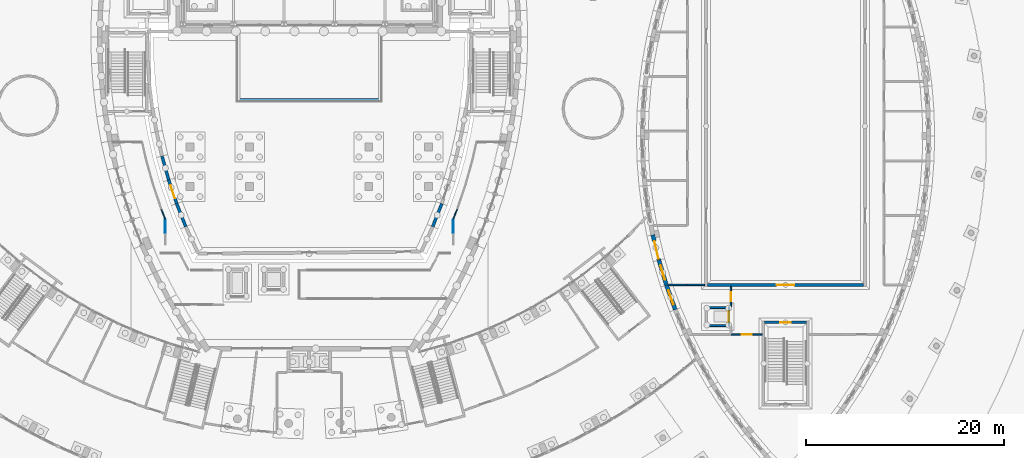
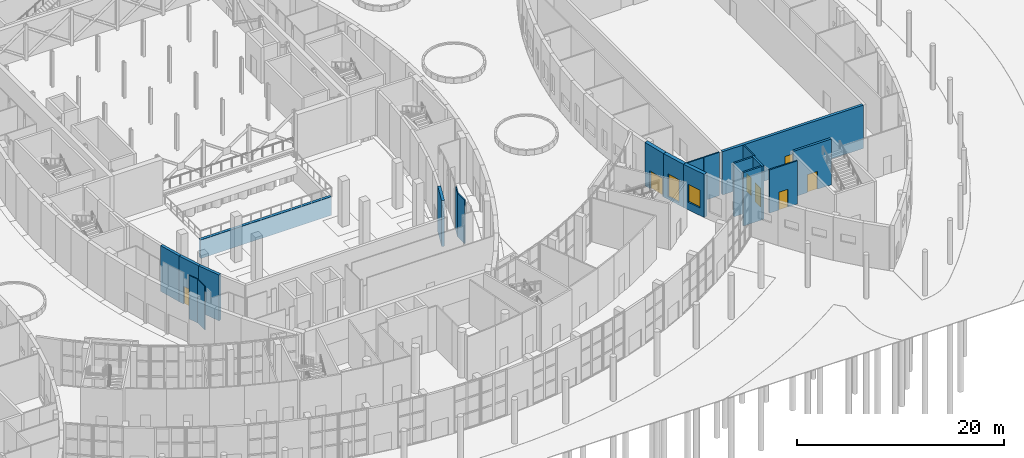
# One storey, part 50 of 82: 21 walls, 7 doors, 2 windows, 9 openings.
"""IFC4 building model written with IfcOpenShell, lengths in metres."""

from ifc_helpers import new_model, si_unit, direction, frame, frame_2d, origin, place, context, subcontext, project, spatial, rectangle, extrude, material, layer, layer_set, type_object, element, fill, save


model = new_model("IFC4")

# Units and contexts
model_context = context("Model", 3, precision=1e-05, world=origin(), true_north=direction((0.0, 1.0)))
body_context = subcontext(model_context, "Body", "Model", "MODEL_VIEW")
ifc_project = project(units=[si_unit("LENGTHUNIT", "METRE"), si_unit("AREAUNIT", "SQUARE_METRE"), si_unit("VOLUMEUNIT", "CUBIC_METRE"), si_unit("PLANEANGLEUNIT", "RADIAN"), si_unit("MASSUNIT", "GRAM", prefix="KILO")], contexts=[model_context])

# Site, building, storey
site_placement = place(None, origin())
site = spatial("IfcSite", under=ifc_project, at=site_placement, CompositionType="ELEMENT")
building_placement = place(site_placement, origin())
building = spatial("IfcBuilding", under=site, at=building_placement, Name="Tide Square Theatres", CompositionType="ELEMENT")
storey_placement = place(building_placement, origin())
storey = spatial("IfcBuildingStorey", under=building, at=storey_placement, Name="L00", CompositionType="ELEMENT", Elevation=0.0)

# Walls
ifc_material_1 = material(Name="Gypsum board on steel studs", Category="steel")
ifc_layer_1 = layer(ifc_material_1, 0.10009765625)
ifc_layer_set_1 = layer_set([ifc_layer_1], Name="Gypsum board on steel studs")
wall_type_1 = type_object("IfcWallType", Name="Partition 100 thick", PredefinedType="PARTITIONING", material=ifc_layer_set_1)
wall_1_placement = place(storey_placement, frame((69.10791015625, 37.578857421875, 0.0), z_axis=(0.0, 0.0, 1.0), x_axis=(0.366868197965, -0.930272930554, 0.0)))
element("IfcWall", 1, at=wall_1_placement, inside=storey, type_object=wall_type_1, Name="Partition", PredefinedType="PARTITIONING", context=body_context, shape_type="SweptSolid", body=[
    extrude(rectangle(XDim=1.06201171875, YDim=0.10009765625, at=frame_2d((0.531005859375, 0.0))), origin(), (0.0, 0.0, 1.0), 5.14990234375),
])
wall_2_placement = place(storey_placement, frame((69.5, 36.577880859375, 0.0), z_axis=(0.0, 0.0, 1.0), x_axis=(0.0, -1.0, 0.0)))
element("IfcWall", 2, at=wall_2_placement, inside=storey, type_object=wall_type_1, Name="Partition", PredefinedType="PARTITIONING", context=body_context, shape_type="SweptSolid", body=[
    extrude(rectangle(XDim=1.39794921875, YDim=0.10009765625, at=frame_2d((0.698974609375, 0.0))), origin(), (0.0, 0.0, 1.0), 5.14990234375),
])
wall_3_placement = place(storey_placement, frame((98.5, 35.179931640625, 0.0), z_axis=(0.0, 0.0, 1.0), x_axis=(0.0, 1.0, 0.0)))
element("IfcWall", 3, at=wall_3_placement, inside=storey, type_object=wall_type_1, Name="Partition", PredefinedType="PARTITIONING", context=body_context, shape_type="SweptSolid", body=[
    extrude(rectangle(XDim=1.397705078125, YDim=0.10009765625, at=frame_2d((0.69873046875, 0.0))), origin(), (0.0, 0.0, 1.0), 5.14990234375),
])
wall_4_placement = place(storey_placement, frame((98.50244140625, 36.5908203125, 0.0), z_axis=(0.0, 0.0, 1.0), x_axis=(0.367071560878, 0.930192705408, 0.0)))
element("IfcWall", 4, at=wall_4_placement, inside=storey, type_object=wall_type_1, Name="Partition", PredefinedType="PARTITIONING", context=body_context, shape_type="SweptSolid", body=[
    extrude(rectangle(XDim=1.112060546875, YDim=0.10009765625, at=frame_2d((0.55615234375, 0.0))), origin(), (0.0, 0.0, 1.0), 5.14990234375),
])
ifc_material_2 = material(Name="Gypsum board on steel studs", Category="steel")
ifc_layer_2 = layer(ifc_material_2, 0.14990234375)
ifc_layer_set_2 = layer_set([ifc_layer_2], Name="Gypsum board on steel studs")
wall_type_2 = type_object("IfcWallType", Name="Partition 150 thick", PredefinedType="PARTITIONING", material=ifc_layer_set_2)
wall_5_placement = place(storey_placement, frame((123.8505859375, 30.0, 0.0), z_axis=(0.0, 0.0, 1.0), x_axis=(-1.0, 0.0, 0.0)))
element("IfcWall", 5, at=wall_5_placement, inside=storey, type_object=wall_type_2, Name="Black Box Theatre partition", PredefinedType="PARTITIONING", context=body_context, shape_type="SweptSolid", body=[
    extrude(rectangle(XDim=1.73046875, YDim=0.14990234375, at=frame_2d((0.865234375, 0.0))), origin(), (0.0, 0.0, 1.0), 5.10009765625),
])

# Wall, opening, door
wall_6_placement = place(storey_placement, frame((126.5, 27.800537109375, 0.0), z_axis=(0.0, 0.0, 1.0), x_axis=(0.0, 1.0, 0.0)))
wall_6 = element("IfcWall", 6, at=wall_6_placement, inside=storey, type_object=wall_type_2, Name="Black Box Theatre partition", PredefinedType="PARTITIONING", context=body_context, shape_type="SweptSolid", body=[
    extrude(rectangle(XDim=2.050048828125, YDim=0.14990234375, at=frame_2d((1.02490234375, 0.0))), origin(), (0.0, 0.0, 1.0), 5.10009765625),
])
opening_1_placement = place(wall_6_placement, frame((0.574951171875, 0.0, 0.0)))
opening_1 = element("IfcOpeningElement", 7, at=opening_1_placement, cuts=wall_6, Name="Opening B00-06", PredefinedType="OPENING", context=body_context, shape_type="SweptSolid", body=[
    extrude(rectangle(XDim=0.89990234375, YDim=2.10009765625, at=frame_2d((0.449951171875, 1.050048828125))), frame((0.0, 0.0849609375, 0.0), z_axis=(0.0, -1.0, 0.0), x_axis=(1.0, 0.0, 0.0)), (0.0, 0.0, 1.0), 0.169921875),
])
ifc_material_3 = material(Name="Hardwood timber", Category="wood")
door_type_1 = type_object("IfcDoorType", Name="Door 900 x 2100 single leaf", OperationType="NOTDEFINED", PredefinedType="DOOR", material=ifc_material_3)
door_1_placement = place(opening_1_placement, origin())
door_1 = element("IfcDoor", 8, at=door_1_placement, inside=storey, type_object=door_type_1, Name="Box Office door", OperationType="SINGLE_SWING_RIGHT", OverallHeight=2.10009765625, OverallWidth=0.89990234375, PredefinedType="DOOR", context=body_context, shape_type="SweptSolid", body=[
    extrude(rectangle(XDim=0.89990234375, YDim=2.10009765625, at=frame_2d((0.449951171875, 1.050048828125))), frame((0.0, 0.02490234375, 0.0), z_axis=(0.0, -1.0, 0.0), x_axis=(1.0, 0.0, 0.0)), (0.0, 0.0, 1.0), 0.050048828125),
])
fill(opening_1, door_1)

wall_7_placement = place(storey_placement, frame((129.650390625, 25.0, 0.0), z_axis=(0.0, 0.0, 1.0), x_axis=(-1.0, 0.0, 0.0)))
wall_7 = element("IfcWall", 9, at=wall_7_placement, inside=storey, type_object=wall_type_2, Name="Black Box Theatre partition", PredefinedType="PARTITIONING", context=body_context, shape_type="SweptSolid", body=[
    extrude(rectangle(XDim=3.13037109375, YDim=0.14990234375, at=frame_2d((1.565185546875, 0.0))), origin(), (0.0, 0.0, 1.0), 5.10009765625),
])
opening_2_placement = place(wall_7_placement, frame((1.065185546875, 0.0, 0.0)))
opening_2 = element("IfcOpeningElement", 10, at=opening_2_placement, cuts=wall_7, Name="Opening B00-07", PredefinedType="OPENING", context=body_context, shape_type="SweptSolid", body=[
    extrude(rectangle(XDim=1.0, YDim=2.10009765625, at=frame_2d((0.5, 1.050048828125))), frame((0.0, 0.0849609375, 0.0), z_axis=(0.0, -1.0, 0.0), x_axis=(1.0, 0.0, 0.0)), (0.0, 0.0, 1.0), 0.169921875),
])
ifc_material_4 = material(Name="Hardwood timber", Category="wood")
door_type_2 = type_object("IfcDoorType", Name="Door 1000 x 2100 single leaf", OperationType="NOTDEFINED", PredefinedType="DOOR", material=ifc_material_4)
door_2_placement = place(opening_2_placement, origin())
door_2 = element("IfcDoor", 11, at=door_2_placement, inside=storey, type_object=door_type_2, Name="Seating Store door", OperationType="SINGLE_SWING_LEFT", OverallHeight=2.10009765625, OverallWidth=1.0, PredefinedType="DOOR", context=body_context, shape_type="SweptSolid", body=[
    extrude(rectangle(XDim=1.0, YDim=2.10009765625, at=frame_2d((0.5, 1.050048828125))), frame((0.0, 0.02490234375, 0.0), z_axis=(0.0, -1.0, 0.0), x_axis=(1.0, 0.0, 0.0)), (0.0, 0.0, 1.0), 0.050048828125),
])
fill(opening_2, door_2)

# Wall
wall_8_placement = place(storey_placement, frame((120.208740234375, 30.0, 0.0), z_axis=(0.0, 0.0, 1.0), x_axis=(1.0, 0.0, 0.0)))
element("IfcWall", 12, at=wall_8_placement, inside=storey, type_object=wall_type_2, Name="Black Box Theatre partition", PredefinedType="PARTITIONING", context=body_context, shape_type="SweptSolid", body=[
    extrude(rectangle(XDim=1.871337890625, YDim=0.14990234375, at=frame_2d((0.935546875, 0.0))), origin(), (0.0, 0.0, 1.0), 5.10009765625),
])

# Wall, opening, door
ifc_material_5 = material(Name="Concrete C40", Category="concrete")
ifc_layer_3 = layer(ifc_material_5, 0.39990234375)
ifc_layer_set_3 = layer_set([ifc_layer_3], Name="Concrete C40")
wall_type_3 = type_object("IfcWallType", Name="RC curved wall 400 thick", PredefinedType="SOLIDWALL", material=ifc_layer_set_3)
wall_9_placement = place(storey_placement, frame((118.623046875, 35.03662109375, 0.0), z_axis=(0.0, 0.0, 1.0), x_axis=(0.235108668597, -0.971969091047, 0.0)))
wall_9 = element("IfcWall", 13, at=wall_9_placement, inside=storey, type_object=wall_type_3, Name="Black Box Theatre perimeter wall", PredefinedType="SOLIDWALL", context=body_context, shape_type="SweptSolid", body=[
    extrude(rectangle(XDim=2.61669921875, YDim=0.39990234375, at=frame_2d((1.308349609375, 0.0))), origin(), (0.0, 0.0, 1.0), 5.10009765625),
])
opening_3_placement = place(wall_9_placement, frame((0.666748046875, 0.0, 0.0)))
opening_3 = element("IfcOpeningElement", 14, at=opening_3_placement, cuts=wall_9, Name="Opening B00-05", PredefinedType="OPENING", context=body_context, shape_type="SweptSolid", body=[
    extrude(rectangle(XDim=1.800048828125, YDim=2.10009765625, at=frame_2d((0.89990234375, 1.050048828125))), frame((0.0, 0.2099609375, 0.0), z_axis=(0.0, -1.0, 0.0), x_axis=(1.0, 0.0, 0.0)), (0.0, 0.0, 1.0), 0.419921875),
])
ifc_material_6 = material(Name="Hardwood timber", Category="wood")
door_type_3 = type_object("IfcDoorType", Name="Door 1800 x 2100 double leaf", OperationType="DOUBLE_DOOR_SINGLE_SWING", PredefinedType="DOOR", material=ifc_material_6)
door_3_placement = place(opening_3_placement, frame((1.800048828125, 0.0, 0.0), z_axis=(0.0, 0.0, 1.0), x_axis=(-1.0, 0.0, 0.0)))
door_3 = element("IfcDoor", 15, at=door_3_placement, inside=storey, type_object=door_type_3, Name="Black Box Theatre foyer door", OperationType="DOUBLE_DOOR_SINGLE_SWING", OverallHeight=2.10009765625, OverallWidth=1.800048828125, PredefinedType="DOOR", context=body_context, shape_type="SweptSolid", body=[
    extrude(rectangle(XDim=1.800048828125, YDim=2.10009765625, at=frame_2d((0.89990234375, 1.050048828125))), frame((0.0, 0.02490234375, 0.0), z_axis=(0.0, -1.0, 0.0), x_axis=(1.0, 0.0, 0.0)), (0.0, 0.0, 1.0), 0.050048828125),
])
fill(opening_3, door_3)

# Wall, opening, window
wall_10_placement = place(storey_placement, frame((119.2412109375, 32.482666015625, 0.0), z_axis=(0.0, 0.0, 1.0), x_axis=(0.288212317298, -0.957566530408, 0.0)))
wall_10 = element("IfcWall", 16, at=wall_10_placement, inside=storey, type_object=wall_type_3, Name="Black Box Theatre perimeter wall", PredefinedType="SOLIDWALL", context=body_context, shape_type="SweptSolid", body=[
    extrude(rectangle(XDim=2.61669921875, YDim=0.39990234375, at=frame_2d((1.308349609375, 0.0))), origin(), (0.0, 0.0, 1.0), 5.10009765625),
])
opening_4_placement = place(wall_10_placement, frame((0.558349609375, 0.0, 0.300048828125)))
opening_4 = element("IfcOpeningElement", 17, at=opening_4_placement, cuts=wall_10, Name="Opening WN-02", PredefinedType="OPENING", context=body_context, shape_type="SweptSolid", body=[
    extrude(rectangle(XDim=1.5, YDim=2.699951171875, at=frame_2d((0.75, 1.35009765625))), frame((0.0, 0.2099609375, 0.0), z_axis=(0.0, -1.0, 0.0), x_axis=(1.0, 0.0, 0.0)), (0.0, 0.0, 1.0), 0.419921875),
])
ifc_material_7 = material(Name="Aluminium with laminated glass", Category="aluminium")
window_type_1 = type_object("IfcWindowType", Name="Window 1500 x 2700", PartitioningType="SINGLE_PANEL", PredefinedType="WINDOW", material=ifc_material_7)
window_1_placement = place(opening_4_placement, origin())
window_1 = element("IfcWindow", 18, at=window_1_placement, inside=storey, type_object=window_type_1, Name="Black Box Theatre Black Box West Lobby window", OverallHeight=2.699951171875, OverallWidth=1.5, PartitioningType="SINGLE_PANEL", PredefinedType="WINDOW", context=body_context, shape_type="SweptSolid", body=[
    extrude(rectangle(XDim=1.5, YDim=2.699951171875, at=frame_2d((0.75, 1.35009765625))), frame((0.0, 0.030029296875, 0.0), z_axis=(0.0, -1.0, 0.0), x_axis=(1.0, 0.0, 0.0)), (0.0, 0.0, 1.0), 0.06005859375),
])
fill(opening_4, window_1)

wall_11_placement = place(storey_placement, frame((119.998779296875, 29.966552734375, 0.0), z_axis=(0.0, 0.0, 1.0), x_axis=(0.340394146267, -0.940282843184, 0.0)))
wall_11 = element("IfcWall", 19, at=wall_11_placement, inside=storey, type_object=wall_type_3, Name="Black Box Theatre perimeter wall", PredefinedType="SOLIDWALL", context=body_context, shape_type="SweptSolid", body=[
    extrude(rectangle(XDim=2.616455078125, YDim=0.39990234375, at=frame_2d((1.30810546875, 0.0))), origin(), (0.0, 0.0, 1.0), 5.10009765625),
])
opening_5_placement = place(wall_11_placement, frame((0.558349609375, 0.0, 0.89990234375)))
opening_5 = element("IfcOpeningElement", 20, at=opening_5_placement, cuts=wall_11, Name="Opening WN-01", PredefinedType="OPENING", context=body_context, shape_type="SweptSolid", body=[
    extrude(rectangle(XDim=1.5, YDim=2.10009765625, at=frame_2d((0.75, 1.050048828125))), frame((0.0, 0.2099609375, 0.0), z_axis=(0.0, -1.0, 0.0), x_axis=(1.0, 0.0, 0.0)), (0.0, 0.0, 1.0), 0.419921875),
])
ifc_material_8 = material(Name="Aluminium with laminated glass", Category="aluminium")
window_type_2 = type_object("IfcWindowType", Name="Window 1500 x 2100", PartitioningType="SINGLE_PANEL", PredefinedType="WINDOW", material=ifc_material_8)
window_2_placement = place(opening_5_placement, origin())
window_2 = element("IfcWindow", 21, at=window_2_placement, inside=storey, type_object=window_type_2, Name="Black Box Theatre Box Office window", OverallHeight=2.10009765625, OverallWidth=1.5, PartitioningType="SINGLE_PANEL", PredefinedType="WINDOW", context=body_context, shape_type="SweptSolid", body=[
    extrude(rectangle(XDim=1.5, YDim=2.10009765625, at=frame_2d((0.75, 1.050048828125))), frame((0.0, 0.030029296875, 0.0), z_axis=(0.0, -1.0, 0.0), x_axis=(1.0, 0.0, 0.0)), (0.0, 0.0, 1.0), 0.06005859375),
])
fill(opening_5, window_2)

# Wall, opening, door
ifc_material_9 = material(Name="Concrete C40", Category="concrete")
ifc_layer_4 = layer(ifc_material_9, 0.199951171875)
ifc_layer_set_4 = layer_set([ifc_layer_4], Name="Concrete C40")
wall_type_4 = type_object("IfcWallType", Name="RC shear wall 200 thick", PredefinedType="SHEAR", material=ifc_layer_set_4)
wall_12_placement = place(storey_placement, frame((126.320068359375, 25.800048828125, -1.199951171875), z_axis=(0.0, 0.0, 1.0), x_axis=(0.0, 1.0, 0.0)))
wall_12 = element("IfcWall", 22, at=wall_12_placement, inside=storey, type_object=wall_type_4, Name="Black Box Theatre lift shaft wall", PredefinedType="SHEAR", context=body_context, shape_type="SweptSolid", body=[
    extrude(rectangle(XDim=2.0, YDim=0.199951171875, at=frame_2d((1.0, 0.0))), origin(), (0.0, 0.0, 1.0), 6.300048828125),
])
opening_6_placement = place(wall_12_placement, frame((0.449951171875, 0.0, 1.199951171875)))
opening_6 = element("IfcOpeningElement", 23, at=opening_6_placement, cuts=wall_12, Name="Opening LD-B1-0", PredefinedType="OPENING", context=body_context, shape_type="SweptSolid", body=[
    extrude(rectangle(XDim=1.10009765625, YDim=2.199951171875, at=frame_2d((0.550048828125, 1.10009765625))), frame((0.0, 0.10986328125, 0.0), z_axis=(0.0, -1.0, 0.0), x_axis=(1.0, 0.0, 0.0)), (0.0, 0.0, 1.0), 0.219970703125),
])
ifc_material_10 = material(Name="Painted steel", Category="steel")
door_type_4 = type_object("IfcDoorType", Name="Door 1100 x 2200 sliding", OperationType="SLIDING_TO_LEFT", PredefinedType="DOOR", material=ifc_material_10)
door_4_placement = place(opening_6_placement, origin())
door_4 = element("IfcDoor", 24, at=door_4_placement, inside=storey, type_object=door_type_4, Name="Black Box Theatre lift landing door L00", OperationType="SLIDING_TO_LEFT", OverallHeight=2.199951171875, OverallWidth=1.10009765625, PredefinedType="DOOR", context=body_context, shape_type="SweptSolid", body=[
    extrude(rectangle(XDim=1.10009765625, YDim=2.199951171875, at=frame_2d((0.550048828125, 1.10009765625))), frame((0.0, 0.02490234375, 0.0), z_axis=(0.0, -1.0, 0.0), x_axis=(1.0, 0.0, 0.0)), (0.0, 0.0, 1.0), 0.050048828125),
])
fill(opening_6, door_4)

# Walls
for number, where, z_axis, x_axis, name in (
    (25, (124.1201171875, 25.89990234375, -1.199951171875), (0.0, 0.0, 1.0), (1.0, 0.0, 0.0), "Black Box Theatre lift shaft wall"),
    (26, (126.219970703125, 27.699951171875, -1.199951171875), (0.0, 0.0, 1.0), (-1.0, 0.0, 0.0), "Black Box Theatre lift shaft wall"),
):
    element("IfcWall", number, at=place(storey_placement, frame(where, z_axis=z_axis, x_axis=x_axis)), inside=storey, type_object=wall_type_4, Name=name, PredefinedType="SHEAR", context=body_context, shape_type="SweptSolid", body=[
        extrude(rectangle(XDim=2.099853515625, YDim=0.199951171875, at=frame_2d((1.0498046875, 0.0))), origin(), (0.0, 0.0, 1.0), 6.300048828125),
    ])

# Wall, opening, door
ifc_material_11 = material(Name="Concrete C40", Category="concrete")
ifc_layer_5 = layer(ifc_material_11, 0.25)
ifc_layer_set_5 = layer_set([ifc_layer_5], Name="Concrete C40")
wall_type_5 = type_object("IfcWallType", Name="RC shear wall 250 thick", PredefinedType="SHEAR", material=ifc_layer_set_5)
wall_13_placement = place(storey_placement, frame((129.89990234375, 26.22509765625, 0.0), z_axis=(0.0, 0.0, 1.0), x_axis=(1.0, 0.0, 0.0)))
wall_13 = element("IfcWall", 27, at=wall_13_placement, inside=storey, type_object=wall_type_5, Name="Black Box Theatre Stair B2 shaft wall", PredefinedType="SHEAR", context=body_context, shape_type="SweptSolid", body=[
    extrude(rectangle(XDim=4.2001953125, YDim=0.25, at=frame_2d((2.10009765625, 0.0))), origin(), (0.0, 0.0, 1.0), 5.39990234375),
])
opening_7_placement = place(wall_13_placement, frame((1.550048828125, 0.0, 0.0)))
opening_7 = element("IfcOpeningElement", 28, at=opening_7_placement, cuts=wall_13, Name="Opening B00-24", PredefinedType="OPENING", context=body_context, shape_type="SweptSolid", body=[
    extrude(rectangle(XDim=1.10009765625, YDim=2.10009765625, at=frame_2d((0.550048828125, 1.050048828125))), frame((0.0, 0.135009765625, 0.0), z_axis=(0.0, -1.0, 0.0), x_axis=(1.0, 0.0, 0.0)), (0.0, 0.0, 1.0), 0.27001953125),
])
ifc_material_12 = material(Name="Painted steel", Category="steel")
door_type_5 = type_object("IfcDoorType", Name="Door 1100 x 2100 single leaf", OperationType="NOTDEFINED", PredefinedType="DOOR", material=ifc_material_12)
door_5_placement = place(opening_7_placement, origin())
door_5 = element("IfcDoor", 29, at=door_5_placement, inside=storey, type_object=door_type_5, Name="Black Box Theatre stair door", OperationType="SINGLE_SWING_RIGHT", OverallHeight=2.10009765625, OverallWidth=1.10009765625, PredefinedType="DOOR", context=body_context, shape_type="SweptSolid", body=[
    extrude(rectangle(XDim=1.10009765625, YDim=2.10009765625, at=frame_2d((0.550048828125, 1.050048828125))), frame((0.0, 0.02490234375, 0.0), z_axis=(0.0, -1.0, 0.0), x_axis=(1.0, 0.0, 0.0)), (0.0, 0.0, 1.0), 0.050048828125),
])
fill(opening_7, door_5)

# Wall
ifc_material_13 = material(Name="Concrete C40", Category="concrete")
ifc_layer_6 = layer(ifc_material_13, 0.300048828125)
ifc_layer_set_6 = layer_set([ifc_layer_6], Name="Concrete C40")
wall_type_6 = type_object("IfcWallType", Name="RC shear wall 300 thick", PredefinedType="SHEAR", material=ifc_layer_set_6)
wall_14_placement = place(storey_placement, frame((69.1630859375, 42.9833984375, 0.0), z_axis=(0.0, 0.0, 1.0), x_axis=(0.269947665913, -0.962874995868, 0.0)))
element("IfcWall", 30, at=wall_14_placement, inside=storey, type_object=wall_type_6, Name="Main Theatre auditorium wall", PredefinedType="SHEAR", context=body_context, shape_type="SweptSolid", body=[
    extrude(rectangle(XDim=2.5078125, YDim=0.300048828125, at=frame_2d((1.25390625, 0.0))), origin(), (0.0, 0.0, 1.0), 5.39990234375),
])

# Wall, opening, door
wall_15_placement = place(storey_placement, frame((69.840087890625, 40.568603515625, 0.0), z_axis=(0.0, 0.0, 1.0), x_axis=(0.318855282586, -0.947803412511, 0.0)))
wall_15 = element("IfcWall", 31, at=wall_15_placement, inside=storey, type_object=wall_type_6, Name="Main Theatre auditorium wall", PredefinedType="SHEAR", context=body_context, shape_type="SweptSolid", body=[
    extrude(rectangle(XDim=2.507568359375, YDim=0.300048828125, at=frame_2d((1.25390625, 0.0))), origin(), (0.0, 0.0, 1.0), 5.39990234375),
])
opening_8_placement = place(wall_15_placement, frame((0.550048828125, 0.0, 0.0)))
opening_8 = element("IfcOpeningElement", 32, at=opening_8_placement, cuts=wall_15, Name="Opening M00-34", PredefinedType="OPENING", context=body_context, shape_type="SweptSolid", body=[
    extrude(rectangle(XDim=1.39990234375, YDim=2.10009765625, at=frame_2d((0.699951171875, 1.050048828125))), frame((0.0, 0.159912109375, 0.0), z_axis=(0.0, -1.0, 0.0), x_axis=(1.0, 0.0, 0.0)), (0.0, 0.0, 1.0), 0.320068359375),
])
ifc_material_14 = material(Name="Hardwood timber", Category="wood")
door_type_6 = type_object("IfcDoorType", Name="Door 1400 x 2100 double leaf", OperationType="DOUBLE_DOOR_SINGLE_SWING", PredefinedType="DOOR", material=ifc_material_14)
door_6_placement = place(opening_8_placement, origin())
door_6 = element("IfcDoor", 33, at=door_6_placement, inside=storey, type_object=door_type_6, Name="Auditorium side exit pair", OperationType="DOUBLE_DOOR_SINGLE_SWING", OverallHeight=2.10009765625, OverallWidth=1.39990234375, PredefinedType="DOOR", context=body_context, shape_type="SweptSolid", body=[
    extrude(rectangle(XDim=1.39990234375, YDim=2.10009765625, at=frame_2d((0.699951171875, 1.050048828125))), frame((0.0, 0.02490234375, 0.0), z_axis=(0.0, -1.0, 0.0), x_axis=(1.0, 0.0, 0.0)), (0.0, 0.0, 1.0), 0.050048828125),
])
fill(opening_8, door_6)

# Walls
for number, where, z_axis, x_axis, name in (
    (34, (70.6396484375, 38.19189453125, 0.0), (0.0, 0.0, 1.0), (0.366944326543, -0.930242904417, 0.0), "Main Theatre auditorium wall"),
    (35, (96.4423828125, 35.86474609375, 0.0), (0.0, 0.0, 1.0), (0.366944326543, 0.930242904417, 0.0), "Main Theatre auditorium wall"),
):
    element("IfcWall", number, at=place(storey_placement, frame(where, z_axis=z_axis, x_axis=x_axis)), inside=storey, type_object=wall_type_6, Name=name, PredefinedType="SHEAR", context=body_context, shape_type="SweptSolid", body=[
        extrude(rectangle(XDim=2.501708984375, YDim=0.300048828125, at=frame_2d((1.2509765625, 0.0))), origin(), (0.0, 0.0, 1.0), 5.39990234375),
    ])
wall_16_placement = place(storey_placement, frame((76.699951171875, 48.64990234375, -2.199951171875), z_axis=(0.0, 0.0, 1.0), x_axis=(1.0, 0.0, 0.0)))
element("IfcWall", 36, at=wall_16_placement, inside=storey, type_object=wall_type_6, Name="Orchestra pit wall", PredefinedType="SHEAR", context=body_context, shape_type="SweptSolid", body=[
    extrude(rectangle(XDim=14.60009765625, YDim=0.300048828125, at=frame_2d((7.300048828125, 0.0))), origin(), (0.0, 0.0, 1.0), 2.199951171875),
])

# Wall, opening, door
wall_17_placement = place(storey_placement, frame((139.85009765625, 30.0, 0.0), z_axis=(0.0, 0.0, 1.0), x_axis=(-1.0, 0.0, 0.0)))
wall_17 = element("IfcWall", 37, at=wall_17_placement, inside=storey, type_object=wall_type_6, Name="Black Box Theatre auditorium wall", PredefinedType="SHEAR", context=body_context, shape_type="SweptSolid", body=[
    extrude(rectangle(XDim=15.7001953125, YDim=0.300048828125, at=frame_2d((7.85009765625, 0.0))), origin(), (0.0, 0.0, 1.0), 5.10009765625),
])
opening_9_placement = place(wall_17_placement, frame((6.949951171875, 0.0, 0.0)))
opening_9 = element("IfcOpeningElement", 38, at=opening_9_placement, cuts=wall_17, Name="Opening B00-26", PredefinedType="OPENING", context=body_context, shape_type="SweptSolid", body=[
    extrude(rectangle(XDim=1.800048828125, YDim=2.10009765625, at=frame_2d((0.89990234375, 1.050048828125))), frame((0.0, 0.159912109375, 0.0), z_axis=(0.0, -1.0, 0.0), x_axis=(1.0, 0.0, 0.0)), (0.0, 0.0, 1.0), 0.320068359375),
])
door_7_placement = place(opening_9_placement, origin())
door_7 = element("IfcDoor", 39, at=door_7_placement, inside=storey, type_object=door_type_3, Name="Black Box Theatre auditorium door", OperationType="DOUBLE_DOOR_SINGLE_SWING", OverallHeight=2.10009765625, OverallWidth=1.800048828125, PredefinedType="DOOR", context=body_context, shape_type="SweptSolid", body=[
    extrude(rectangle(XDim=1.800048828125, YDim=2.10009765625, at=frame_2d((0.89990234375, 1.050048828125))), frame((0.0, 0.02490234375, 0.0), z_axis=(0.0, -1.0, 0.0), x_axis=(1.0, 0.0, 0.0)), (0.0, 0.0, 1.0), 0.050048828125),
])
fill(opening_9, door_7)

save(model, "model.ifc")
